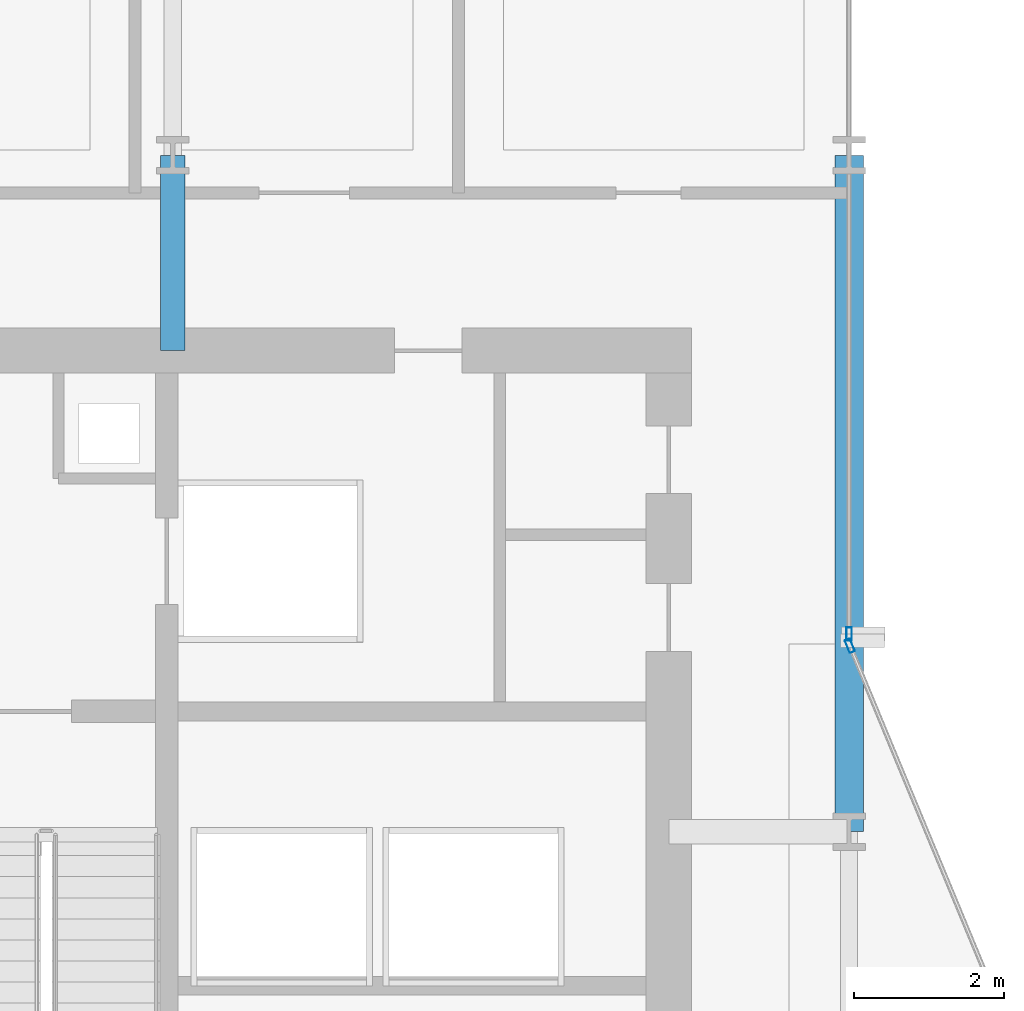
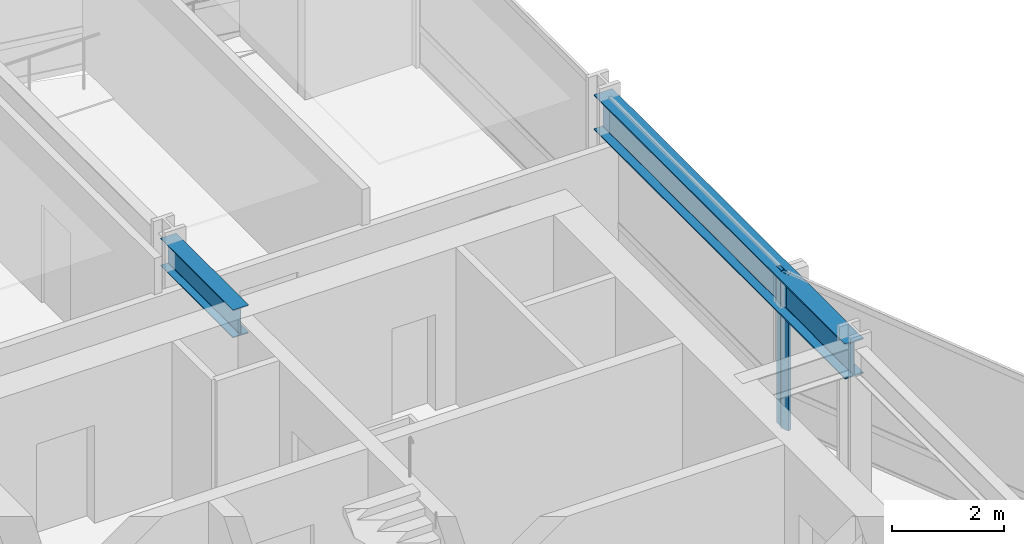
# One storey, part 21 of 34: 2 beams, 2 members, 2 elements without a shape of their own.
"""IFC4 building model written with IfcOpenShell, lengths in metres."""

from ifc_helpers import new_model, si_unit, direction, frame, origin, origin_2d, place, context, subcontext, project, spatial, hollow_rectangle, i_section, extrude, material, layer, layer_set, material_profile, profile_set, type_object, element, aggregate, save


model = new_model("IFC4")

# Units and contexts
model_context = context("Model", 3, precision=1e-05, world=origin(), true_north=direction((0.0, 1.0)))
body_context = subcontext(model_context, "Body", "Model", "MODEL_VIEW")
ifc_project = project(units=[si_unit("LENGTHUNIT", "METRE"), si_unit("AREAUNIT", "SQUARE_METRE"), si_unit("VOLUMEUNIT", "CUBIC_METRE"), si_unit("PLANEANGLEUNIT", "RADIAN"), si_unit("MASSUNIT", "GRAM", prefix="KILO")], contexts=[model_context])

# Site, building, storey
site_placement = place(None, origin())
site = spatial("IfcSite", under=ifc_project, at=site_placement, CompositionType="ELEMENT")
building_placement = place(site_placement, origin())
building = spatial("IfcBuilding", under=site, at=building_placement, Name="Solvaryn Broadcast Tower", CompositionType="ELEMENT")
storey_placement = place(building_placement, frame((0.0, 0.0, 65.60009765625)))
storey = spatial("IfcBuildingStorey", under=building, at=storey_placement, Name="L15", CompositionType="ELEMENT", Elevation=65.60009765625)

# Beams
ifc_material_1 = material(Name="Steel ASTM A992 Grade 50", Category="steel")
ifc_material_profile_1 = material_profile(ifc_material_1, i_section(OverallWidth=0.323974609375, OverallDepth=0.611083984375, WebThickness=0.0126953125, FlangeThickness=0.01904296875, FilletRadius=0.014892578125, at=origin_2d()))
ifc_profile_set_1 = profile_set([ifc_material_profile_1], Name="Steel ASTM A992 Grade 50")
beam_type_1 = type_object("IfcBeamType", Name="BM-B1-W24X104", PredefinedType="BEAM", material=ifc_profile_set_1)
beam_1_placement = place(storey_placement, frame((18.0, 42.39990234375, 3.114501953125), z_axis=(0.0, 1.0, 0.0), x_axis=(-1.0, 0.0, 0.0)))
element("IfcBeam", 1, at=beam_1_placement, inside=storey, type_object=beam_type_1, Name="L15 Core Tie Beam CTW3", PredefinedType="BEAM", context=body_context, shape_type="SweptSolid", body=[
    extrude(i_section(OverallWidth=0.323974609375, OverallDepth=0.611083984375, WebThickness=0.0126953125, FlangeThickness=0.01904296875, FilletRadius=0.014892578125, at=origin_2d()), origin(), (0.0, 0.0, 1.0), 2.60009765625),
])
ifc_material_2 = material(Name="Steel ASTM A992 Grade 50", Category="steel")
ifc_material_profile_2 = material_profile(ifc_material_2, i_section(OverallWidth=0.381103515625, OverallDepth=0.77294921875, WebThickness=0.0166015625, FlangeThickness=0.027099609375, FilletRadius=0.01806640625, at=origin_2d()))
ifc_profile_set_2 = profile_set([ifc_material_profile_2], Name="Steel ASTM A992 Grade 50")
beam_type_2 = type_object("IfcBeamType", Name="BM-SP1-W30X173", PredefinedType="USERDEFINED", material=ifc_profile_set_2)
beam_2_placement = place(storey_placement, frame((27.0, 36.0, 3.033447265625), z_axis=(0.0, 1.0, 0.0), x_axis=(-1.0, 0.0, 0.0)))
element("IfcBeam", 2, at=beam_2_placement, inside=storey, type_object=beam_type_2, Name="L15 Spandrel Beam Y (36-45 @ X=27)", ObjectType="SPANDREL", PredefinedType="USERDEFINED", context=body_context, shape_type="SweptSolid", body=[
    extrude(i_section(OverallWidth=0.381103515625, OverallDepth=0.77294921875, WebThickness=0.0166015625, FlangeThickness=0.027099609375, FilletRadius=0.01806640625, at=origin_2d()), origin(), (0.0, 0.0, 1.0), 9.0),
])

# Curtain wall, member
ifc_material_3 = material(Name="Aluminium and Terracotta Unitised Curtain Wall", Category="masonry")
ifc_layer = layer(ifc_material_3, 0.199951171875)
ifc_layer_set = layer_set([ifc_layer], Name="CW-SYS2-LOWMID")
curtain_wall_type = type_object("IfcCurtainWallType", Name="CW-SYS2-LOWMID", PredefinedType="NOTDEFINED", material=ifc_layer_set)
curtain_wall_1_placement = place(storey_placement, origin())
curtain_wall_1 = element("IfcCurtainWall", 3, at=curtain_wall_1_placement, inside=storey, type_object=curtain_wall_type, Name="L15 Curtain Wall IV", PredefinedType="NOTDEFINED")
ifc_material_4 = material(Name="Anodised Aluminium 6063-T6", Category="aluminium")
ifc_material_profile_3 = material_profile(ifc_material_4, hollow_rectangle(XDim=0.074951171875, YDim=0.179931640625, WallThickness=0.00390625, InnerFilletRadius=0.00390625, OuterFilletRadius=0.008056640625, at=origin_2d()))
ifc_profile_set_3 = profile_set([ifc_material_profile_3], Name="Anodised Aluminium 6063-T6")
member_type = type_object("IfcMemberType", Name="CW-MUL-180", PredefinedType="MULLION", material=ifc_profile_set_3)
member_1_placement = place(storey_placement, frame((27.0, 38.6298828125, 0.0), z_axis=(0.0, 0.0, 1.0), x_axis=(1.0, 0.0, 0.0)))
member_1 = element("IfcMember", 4, at=member_1_placement, type_object=member_type, Name="CWS2 mullion 2", PredefinedType="MULLION", context=body_context, shape_type="SweptSolid", body=[
    extrude(hollow_rectangle(XDim=0.074951171875, YDim=0.179931640625, WallThickness=0.00390625, InnerFilletRadius=0.00390625, OuterFilletRadius=0.008056640625, at=origin_2d()), origin(), (0.0, 0.0, 1.0), 3.419921875),
])
aggregate(curtain_wall_1, [member_1])

curtain_wall_2_placement = place(storey_placement, origin())
curtain_wall_2 = element("IfcCurtainWall", 5, at=curtain_wall_2_placement, inside=storey, type_object=curtain_wall_type, Name="L15 Curtain Wall CN2", PredefinedType="NOTDEFINED")
member_2_placement = place(storey_placement, frame((27.011474609375, 38.47216796875, 0.0), z_axis=(0.0, 0.0, 1.0), x_axis=(-0.923894983957, -0.382646127145, 0.0)))
member_2 = element("IfcMember", 6, at=member_2_placement, type_object=member_type, Name="CWS2 mullion 2", PredefinedType="MULLION", context=body_context, shape_type="SweptSolid", body=[
    extrude(hollow_rectangle(XDim=0.074951171875, YDim=0.179931640625, WallThickness=0.00390625, InnerFilletRadius=0.00390625, OuterFilletRadius=0.008056640625, at=origin_2d()), origin(), (0.0, 0.0, 1.0), 3.419921875),
])
aggregate(curtain_wall_2, [member_2])

save(model, "model.ifc")
